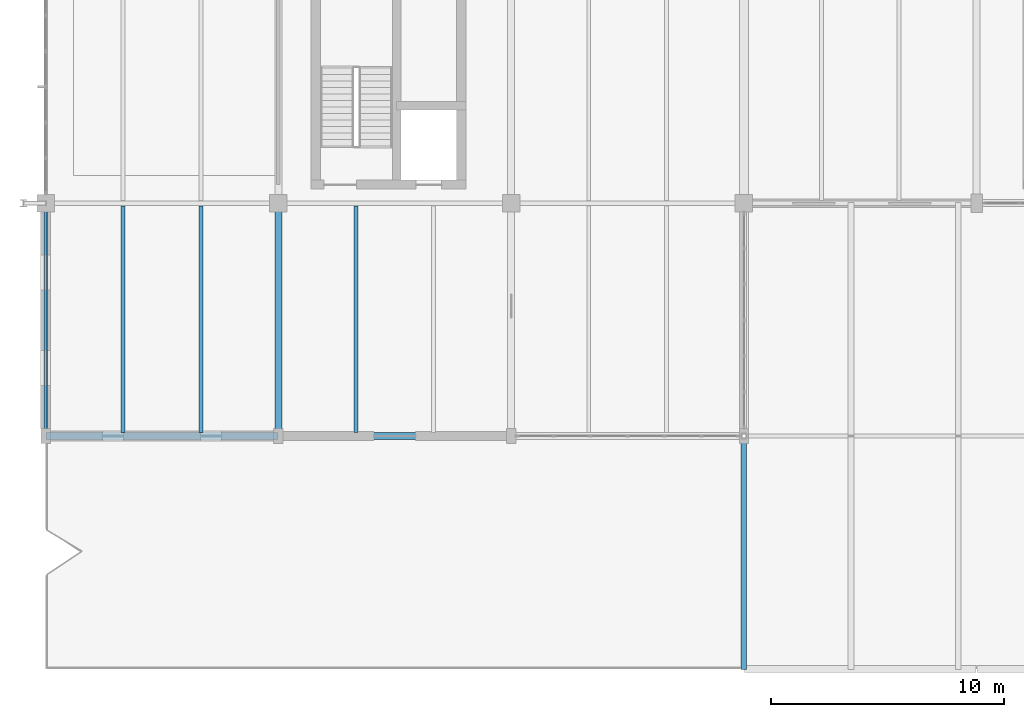
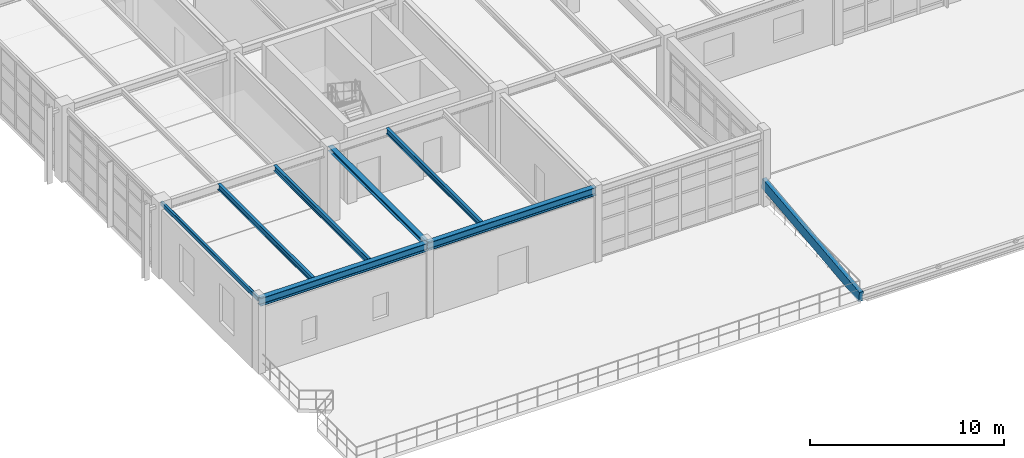
# One storey, part 24 of 139: 7 beams, 1 member.
"""IFC4 building model written with IfcOpenShell, lengths in metres."""

import ifcopenshell
import ifcopenshell.guid

model = None  # the IFC model being written
_history = None  # IfcOwnerHistory: only IFC2X3 demands one
_inside = {}  # id of a spatial element -> (the spatial element, [elements in it])
_under = {}  # id of a project, library or spatial element -> (it, [spatial elements below it])
_declared = {}  # id of a project -> (the project, [libraries it declares])
_typed = {}  # id of a type object -> (the type object, [elements of that type])
_made_of = {}  # id of a material, layer set ... -> (it, [elements and type objects made of it])


def new_model(schema):
    """Start an empty IFC model of exactly this schema.

    Asked for "IFC4X3", IfcOpenShell would pick the latest addendum, in which some entities
    have other attributes; the version numbers below select the first issue.
    IFC2X3 requires an IfcOwnerHistory on every rooted entity: one is made here for all.
    """
    global model, _history
    if schema == "IFC4X3":
        model = ifcopenshell.file(schema_version=(4, 3, 0, 0))
    else:
        model = ifcopenshell.file(schema=schema)
    _inside.clear()
    _under.clear()
    _declared.clear()
    _typed.clear()
    _made_of.clear()
    _history = None
    if model.schema == "IFC2X3":
        org = make("IfcOrganization", Name="unknown")
        user = make(
            "IfcPersonAndOrganization",
            ThePerson=make("IfcPerson", FamilyName="unknown"),
            TheOrganization=org,
        )
        app = make(
            "IfcApplication",
            ApplicationDeveloper=org,
            Version="unknown",
            ApplicationFullName="unknown",
            ApplicationIdentifier="unknown",
        )
        _history = make(
            "IfcOwnerHistory",
            OwningUser=user,
            OwningApplication=app,
            ChangeAction="ADDED",
            CreationDate=0,
        )
    return model


def make(cls, **values):
    """One entity of the class cls with the attributes given. An attribute that is None is left unset."""
    return model.create_entity(
        cls, **{name: value for name, value in values.items() if value is not None}
    )


def rooted(cls, **values):
    """An entity with a GlobalId (a new one), such as an element, a storey or a relation."""
    return make(cls, GlobalId=ifcopenshell.guid.new(), OwnerHistory=_history, **values)


def si_unit(unit_type, name, prefix=None):
    """IfcSIUnit, for example si_unit("LENGTHUNIT", "METRE", prefix="MILLI")."""
    return make("IfcSIUnit", UnitType=unit_type, Prefix=prefix, Name=name)


def assignment(units):
    """IfcUnitAssignment: the units of a project."""
    return None if units is None else make("IfcUnitAssignment", Units=units)


def point(xyz):
    """IfcCartesianPoint."""
    return None if xyz is None else make("IfcCartesianPoint", Coordinates=xyz)


def direction(xyz):
    """IfcDirection."""
    return None if xyz is None else make("IfcDirection", DirectionRatios=xyz)


def frame(location, z_axis=None, x_axis=None):
    """IfcAxis2Placement3D, a coordinate frame: its origin and axes. An axis left out is left unset."""
    return make(
        "IfcAxis2Placement3D",
        Location=point(location),
        Axis=direction(z_axis),
        RefDirection=direction(x_axis),
    )


def frame_2d(location, x_axis=None):
    """IfcAxis2Placement2D, a coordinate frame in the plane: its origin and x axis."""
    return make(
        "IfcAxis2Placement2D", Location=point(location), RefDirection=direction(x_axis)
    )


def origin():
    """The frame at (0, 0, 0) with its axes left unset."""
    return frame((0.0, 0.0, 0.0))


def origin_2d():
    """The frame at (0, 0) in the plane with its x axis left unset."""
    return frame_2d((0.0, 0.0))


def place(relative_to, where):
    """IfcLocalPlacement: puts the frame where relative to a parent placement (None: the world)."""
    return make(
        "IfcLocalPlacement", PlacementRelTo=relative_to, RelativePlacement=where
    )


def context(
    kind, dimensions, precision=None, world=None, true_north=None, identifier=None
):
    """IfcGeometricRepresentationContext, for example the 3D "Model" context."""
    return make(
        "IfcGeometricRepresentationContext",
        ContextIdentifier=identifier,
        ContextType=kind,
        CoordinateSpaceDimension=dimensions,
        Precision=precision,
        WorldCoordinateSystem=world,
        TrueNorth=true_north,
    )


def subcontext(parent, identifier, kind, view, scale=None):
    """IfcGeometricRepresentationSubContext, for example "Body" below "Model"."""
    return make(
        "IfcGeometricRepresentationSubContext",
        ContextIdentifier=identifier,
        ContextType=kind,
        ParentContext=parent,
        TargetScale=scale,
        TargetView=view,
    )


def project(units=None, contexts=None):
    """IfcProject with its units and contexts."""
    return rooted(
        "IfcProject",
        Name="project",
        RepresentationContexts=contexts,
        UnitsInContext=assignment(units),
    )


def spatial(cls, under=None, at=None, **own):
    """A site, building, storey or space (cls), placed at a placement, below another one or the project."""
    s = rooted(cls, ObjectPlacement=at, **own)
    if under is not None:
        _under.setdefault(under.id(), (under, []))[1].append(s)
    return s


def profile(cls, at=None, kind="AREA", **sizes):
    """A parametric profile (cls). Its sizes go by their IFC names, for example OverallWidth=200.0."""
    return make(cls, ProfileType=kind, Position=at, **sizes)


def rectangle(**sizes):
    """IfcRectangleProfileDef."""
    return profile("IfcRectangleProfileDef", **sizes)


def hollow_rectangle(**sizes):
    """IfcRectangleHollowProfileDef."""
    return profile("IfcRectangleHollowProfileDef", **sizes)


def i_section(**sizes):
    """IfcIShapeProfileDef."""
    return profile("IfcIShapeProfileDef", **sizes)


def extrude(swept, where, along, depth):
    """IfcExtrudedAreaSolid: the profile swept, set in the frame where, extruded along a direction by depth."""
    return make(
        "IfcExtrudedAreaSolid",
        SweptArea=swept,
        Position=where,
        ExtrudedDirection=direction(along),
        Depth=depth,
    )


def shape(context_of_items, identifier, shape_type, items):
    """IfcShapeRepresentation: the items that make up one representation, for example the "Body"."""
    return make(
        "IfcShapeRepresentation",
        ContextOfItems=context_of_items,
        RepresentationIdentifier=identifier,
        RepresentationType=shape_type,
        Items=items,
    )


def material(Name=None, Category=None):
    """IfcMaterial."""
    return make("IfcMaterial", Name=Name, Category=Category)


def material_profile(
    of_material, cross_section, Name=None, Category=None, Priority=None
):
    """IfcMaterialProfile: a cross section and its material."""
    return make(
        "IfcMaterialProfile",
        Name=Name,
        Material=of_material,
        Profile=cross_section,
        Priority=Priority,
        Category=Category,
    )


def profile_set(profiles, Name=None, composite=None):
    """IfcMaterialProfileSet."""
    return make(
        "IfcMaterialProfileSet",
        Name=Name,
        MaterialProfiles=profiles,
        CompositeProfile=composite,
    )


def made_of(thing, what):
    """Note that an element or type object is made of a material, layer set ...; save() writes the relation."""
    if what is not None:
        _made_of.setdefault(what.id(), (what, []))[1].append(thing)
    return thing


def type_object(cls, material=None, **own):
    """A type object (cls), such as IfcWallType, which elements share."""
    return made_of(rooted(cls, **own), material)


def element(
    cls,
    number,
    at=None,
    inside=None,
    cuts=None,
    type_object=None,
    material=None,
    context=None,
    identifier="Body",
    shape_type=None,
    held_by="IfcProductDefinitionShape",
    body=None,
    shapes=None,
    **own,
):
    """One element of the class cls, such as IfcWall. Its Tag is "e" and its number.

    at: its placement. inside: the storey or other place that contains it. cuts: it is an
    opening in that element (IfcRelVoidsElement). A single representation is given by context,
    identifier, shape_type and body (its items); several are given by shapes. held_by: the class
    of the entity that holds the representations. save() writes the other relations.
    """
    e = rooted(cls, Tag="e%d" % number, ObjectPlacement=at, **own)
    if body is not None:
        shapes = [shape(context, identifier, shape_type, body)]
    if shapes is not None:
        e.Representation = make(held_by, Representations=shapes)
    if inside is not None:
        _inside.setdefault(inside.id(), (inside, []))[1].append(e)
    if cuts is not None:
        rooted(
            "IfcRelVoidsElement", RelatingBuildingElement=cuts, RelatedOpeningElement=e
        )
    if type_object is not None:
        _typed.setdefault(type_object.id(), (type_object, []))[1].append(e)
    return made_of(e, material)


def aggregate(whole, parts):
    """IfcRelAggregates: a whole, such as a stair, and the parts it consists of."""
    return rooted("IfcRelAggregates", RelatingObject=whole, RelatedObjects=parts)


def save(model, path):
    """Write the relations noted so far, then the file.

    IfcRelAggregates (storeys below a building ...), IfcRelContainedInSpatialStructure (elements
    in a storey), IfcRelDefinesByType, IfcRelAssociatesMaterial and IfcRelDeclares: one each for
    every whole, place, type object, material and project.
    """
    for whole, parts in _under.values():
        aggregate(whole, parts)
    for where, things in _inside.values():
        rooted(
            "IfcRelContainedInSpatialStructure",
            RelatedElements=things,
            RelatingStructure=where,
        )
    for kind, things in _typed.values():
        rooted("IfcRelDefinesByType", RelatedObjects=things, RelatingType=kind)
    for what, things in _made_of.values():
        rooted("IfcRelAssociatesMaterial", RelatedObjects=things, RelatingMaterial=what)
    for by, libraries in _declared.values():
        rooted("IfcRelDeclares", RelatingContext=by, RelatedDefinitions=libraries)
    model.write(path)


model = new_model("IFC4")

# Units and contexts
model_context = context("Model", 3, precision=1e-05, world=origin(), true_north=direction((0.0, 1.0)))
body_context = subcontext(model_context, "Body", "Model", "MODEL_VIEW")
ifc_project = project(units=[si_unit("LENGTHUNIT", "METRE"), si_unit("AREAUNIT", "SQUARE_METRE"), si_unit("VOLUMEUNIT", "CUBIC_METRE"), si_unit("PLANEANGLEUNIT", "RADIAN"), si_unit("MASSUNIT", "GRAM", prefix="KILO"), si_unit("THERMODYNAMICTEMPERATUREUNIT", "KELVIN"), si_unit("POWERUNIT", "WATT")], contexts=[model_context])

# Site, building, storey
site_placement = place(None, origin())
site = spatial("IfcSite", under=ifc_project, at=site_placement, CompositionType="ELEMENT")
building_placement = place(site_placement, origin())
building = spatial("IfcBuilding", under=site, at=building_placement, Name="Korenveer Ferry Terminal", CompositionType="ELEMENT")
storey_placement = place(building_placement, frame((0.0, 0.0, 5.39990234375)))
storey = spatial("IfcBuildingStorey", under=building, at=storey_placement, Name="L01", CompositionType="ELEMENT", Elevation=5.39990234375)

# Beams
ifc_material_1 = material(Name="Steel S355", Category="steel")
ifc_material_profile_1 = material_profile(ifc_material_1, i_section(OverallWidth=0.300048828125, OverallDepth=0.2900390625, WebThickness=0.008544921875, FlangeThickness=0.013916015625, FilletRadius=0.027099609375, at=origin_2d()), Name="HEA 300")
ifc_profile_set_1 = profile_set([ifc_material_profile_1], Name="Steel S355")
beam_type_1 = type_object("IfcBeamType", Name="STR-BM-HEA300", PredefinedType="BEAM", material=ifc_profile_set_1)
beam_1_placement = place(storey_placement, frame((10.0, 10.02001953125, 4.43505859375), z_axis=(0.0, 1.0, 0.0), x_axis=(-1.0, 0.0, 0.0)))
element("IfcBeam", 1, at=beam_1_placement, inside=storey, type_object=beam_type_1, Name="Primary Y girder BMY-L02-X10-Y10-20", PredefinedType="BEAM", context=body_context, shape_type="SweptSolid", body=[
    extrude(i_section(OverallWidth=0.300048828125, OverallDepth=0.2900390625, WebThickness=0.008544921875, FlangeThickness=0.013916015625, FilletRadius=0.027099609375, at=origin_2d()), origin(), (0.0, 0.0, 1.0), 9.9599609375),
])
ifc_material_profile_2 = material_profile(ifc_material_1, i_section(OverallWidth=0.300048828125, OverallDepth=0.5, WebThickness=0.014404296875, FlangeThickness=0.028076171875, FilletRadius=0.027099609375, at=origin_2d()), Name="HEB 500")
ifc_profile_set_2 = profile_set([ifc_material_profile_2], Name="Steel S355")
beam_type_2 = type_object("IfcBeamType", Name="STR-BM-HEB500", PredefinedType="BEAM", material=ifc_profile_set_2)
for number, where, z_axis, x_axis, name in (
    (2, (0.02001953125, 10.0, 4.330078125), (1.0, 0.0, 0.0), (0.0, 1.0, 0.0), "Primary X girder BMX-L02-X0-10-Y10"),
    (3, (10.02001953125, 10.0, 4.330078125), (1.0, 0.0, 0.0), (0.0, 1.0, 0.0), "Primary X girder BMX-L02-X10-20-Y10"),
):
    element("IfcBeam", number, at=place(storey_placement, frame(where, z_axis=z_axis, x_axis=x_axis)), inside=storey, type_object=beam_type_2, Name=name, PredefinedType="BEAM", context=body_context, shape_type="SweptSolid", body=[
        extrude(i_section(OverallWidth=0.300048828125, OverallDepth=0.5, WebThickness=0.014404296875, FlangeThickness=0.028076171875, FilletRadius=0.027099609375, at=origin_2d()), origin(), (0.0, 0.0, 1.0), 9.9599609375),
    ])
ifc_material_profile_3 = material_profile(ifc_material_1, i_section(OverallWidth=0.169921875, OverallDepth=0.360107421875, WebThickness=0.008056640625, FlangeThickness=0.0126953125, FilletRadius=0.01806640625, at=origin_2d()), Name="IPE 360")
ifc_profile_set_3 = profile_set([ifc_material_profile_3], Name="Steel S355")
beam_type_3 = type_object("IfcBeamType", Name="STR-JST-IPE360", PredefinedType="JOIST", material=ifc_profile_set_3)
for number, where, z_axis, x_axis, name in (
    (4, (3.333251953125, 10.159912109375, 4.400146484375), (0.0, 1.0, 0.0), (-1.0, 0.0, 0.0), "Secondary composite joist JST-L02-X33-Y10-20"),
    (5, (6.666748046875, 10.159912109375, 4.400146484375), (0.0, 1.0, 0.0), (-1.0, 0.0, 0.0), "Secondary composite joist JST-L02-X67-Y10-20"),
    (6, (13.333251953125, 10.159912109375, 4.400146484375), (0.0, 1.0, 0.0), (-1.0, 0.0, 0.0), "Secondary composite joist JST-L02-X133-Y10-20"),
):
    element("IfcBeam", number, at=place(storey_placement, frame(where, z_axis=z_axis, x_axis=x_axis)), inside=storey, type_object=beam_type_3, Name=name, PredefinedType="JOIST", context=body_context, shape_type="SweptSolid", body=[
        extrude(i_section(OverallWidth=0.169921875, OverallDepth=0.360107421875, WebThickness=0.008056640625, FlangeThickness=0.0126953125, FilletRadius=0.01806640625, at=origin_2d()), origin(), (0.0, 0.0, 1.0), 9.72509765625),
    ])

# Member
ifc_material_2 = material(Name="Glulam GL28h", Category="wood")
ifc_material_profile_4 = material_profile(ifc_material_2, rectangle(XDim=0.239990234375, YDim=0.639892578125, at=origin_2d()), Name="GL 240x640")
ifc_profile_set_4 = profile_set([ifc_material_profile_4], Name="Glulam GL28h")
member_type = type_object("IfcMemberType", Name="STR-RAF-GL240", PredefinedType="RAFTER", material=ifc_profile_set_4)
member_placement = place(storey_placement, frame((30.0, 0.0, 0.18017578125), z_axis=(0.0, 0.994005938353, 0.109326092585), x_axis=(-1.0, 0.0, 0.0)))
element("IfcMember", 7, at=member_placement, inside=storey, type_object=member_type, Name="Canopy glulam rafter 181", PredefinedType="RAFTER", context=body_context, shape_type="SweptSolid", body=[
    extrude(rectangle(XDim=0.239990234375, YDim=0.639892578125, at=origin_2d()), origin(), (0.0, 0.0, 1.0), 10.060302734375),
])

# Beam
ifc_material_profile_5 = material_profile(ifc_material_1, hollow_rectangle(XDim=0.14990234375, YDim=0.25, WallThickness=0.010009765625, InnerFilletRadius=0.010009765625, OuterFilletRadius=0.014892578125, at=origin_2d()), Name="RHS 250x150x10")
ifc_profile_set_5 = profile_set([ifc_material_profile_5], Name="Steel S355")
beam_type_4 = type_object("IfcBeamType", Name="STR-SPD-RHS250", PredefinedType="SPANDREL", material=ifc_profile_set_5)
beam_2_placement = place(storey_placement, frame((0.0, 10.02001953125, 4.455078125), z_axis=(0.0, 1.0, 0.0), x_axis=(-1.0, 0.0, 0.0)))
element("IfcBeam", 8, at=beam_2_placement, inside=storey, type_object=beam_type_4, Name="Primary Y girder BMY-L02-X0-Y10-20", PredefinedType="SPANDREL", context=body_context, shape_type="SweptSolid", body=[
    extrude(hollow_rectangle(XDim=0.14990234375, YDim=0.25, WallThickness=0.010009765625, InnerFilletRadius=0.010009765625, OuterFilletRadius=0.014892578125, at=origin_2d()), origin(), (0.0, 0.0, 1.0), 9.9599609375),
])

save(model, "model.ifc")
